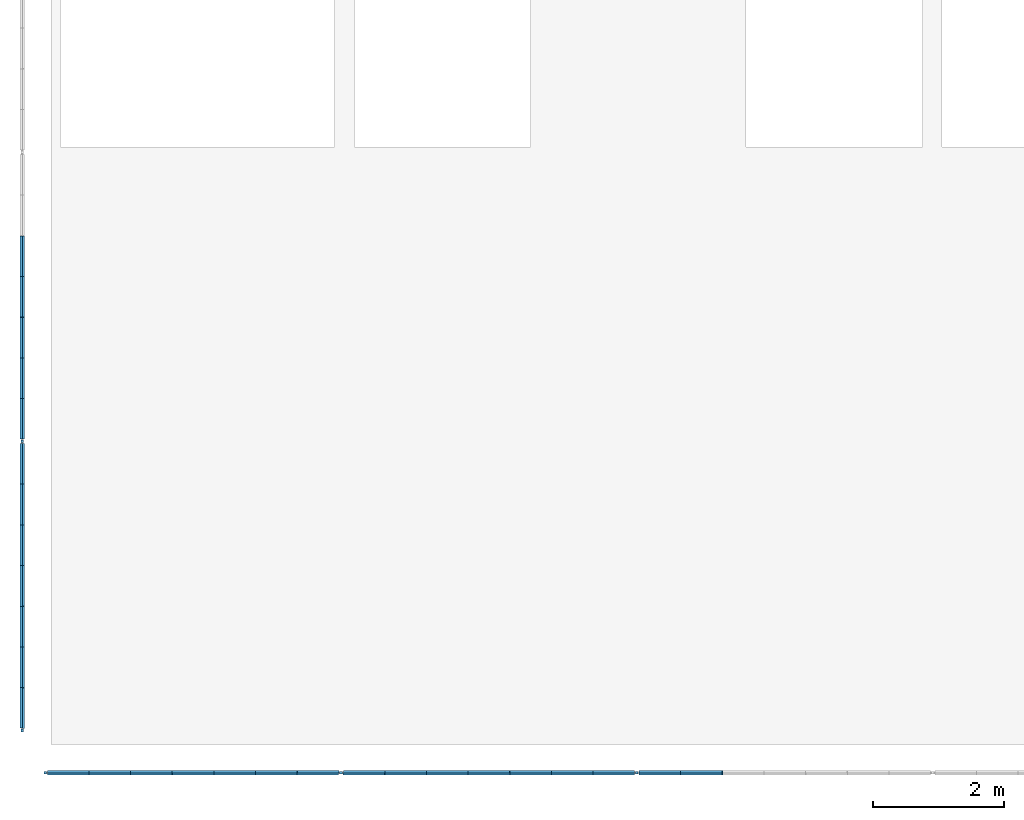
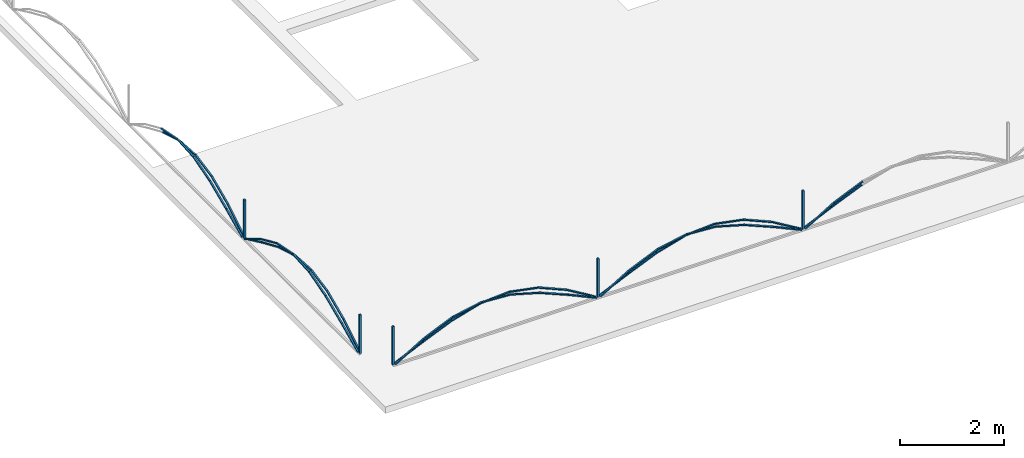
# One storey, part 2 of 9: 61 discrete accessories.
"""IFC4 building model written with IfcOpenShell, lengths in metres."""

from ifc_helpers import new_model, si_unit, direction, frame, origin, origin_2d, place, context, subcontext, project, spatial, rectangle, extrude, material, material_profile, profile_set, type_object, element, save


model = new_model("IFC4")

# Units and contexts
model_context = context("Model", 3, precision=1e-05, world=origin(), true_north=direction((0.0, 1.0)))
body_context = subcontext(model_context, "Body", "Model", "MODEL_VIEW")
ifc_project = project(units=[si_unit("LENGTHUNIT", "METRE"), si_unit("AREAUNIT", "SQUARE_METRE"), si_unit("VOLUMEUNIT", "CUBIC_METRE"), si_unit("PLANEANGLEUNIT", "RADIAN"), si_unit("MASSUNIT", "GRAM", prefix="KILO")], contexts=[model_context])

# Site, building, storey
site_placement = place(None, origin())
site = spatial("IfcSite", under=ifc_project, at=site_placement, CompositionType="ELEMENT")
building_placement = place(site_placement, origin())
building = spatial("IfcBuilding", under=site, at=building_placement, Name="Hortulan Conservatory and Botanical Research Centre", CompositionType="ELEMENT")
storey_placement = place(building_placement, frame((0.0, 0.0, 74.25)))
storey = spatial("IfcBuildingStorey", under=building, at=storey_placement, Name="MAIN ROOF", CompositionType="ELEMENT", Elevation=74.25)

# Discrete accessories
ifc_material = material(Name="Bronze-charcoal painted wrought iron", Category="metal")
ifc_material_profile_1 = material_profile(ifc_material, rectangle(XDim=0.0400390625, YDim=0.0400390625, at=origin_2d()), Name="Square bar 40x40")
ifc_profile_set_1 = profile_set([ifc_material_profile_1], Name="Bronze-charcoal painted wrought iron")
discrete_accessory_type_1 = type_object("IfcDiscreteAccessoryType", Name="Cresting Post 40x40", PredefinedType="USERDEFINED", material=ifc_profile_set_1)
for number, where, z_axis, x_axis, name in (
    (1, (17.978515625, -0.43603515625, 1.43994140625), (0.0, 0.0, 1.0), (1.0, 0.0, 0.0), "Cresting post"),
    (2, (13.4462890625, -0.43603515625, 1.43994140625), (0.0, 0.0, 1.0), (1.0, 0.0, 0.0), "Cresting post"),
    (3, (8.9140625, -0.43603515625, 1.43994140625), (0.0, 0.0, 1.0), (1.0, 0.0, 0.0), "Cresting post"),
    (4, (8.56396484375, 0.214111328125, 1.43994140625), (0.0, 0.0, 1.0), (1.0, 0.0, 0.0), "Cresting post"),
    (5, (8.56396484375, 4.642578125, 1.43994140625), (0.0, 0.0, 1.0), (1.0, 0.0, 0.0), "Cresting post"),
):
    element("IfcDiscreteAccessory", number, at=place(storey_placement, frame(where, z_axis=z_axis, x_axis=x_axis)), inside=storey, type_object=discrete_accessory_type_1, Name=name, ObjectType="Cresting post", PredefinedType="USERDEFINED", context=body_context, shape_type="SweptSolid", body=[
        extrude(rectangle(XDim=0.0400390625, YDim=0.0400390625, at=origin_2d()), origin(), (0.0, 0.0, 1.0), 0.900146484375),
    ])
ifc_material_profile_2 = material_profile(ifc_material, rectangle(XDim=0.034912109375, YDim=0.02490234375, at=origin_2d()), Name="Flat bar 35x25")
ifc_profile_set_2 = profile_set([ifc_material_profile_2], Name="Bronze-charcoal painted wrought iron")
discrete_accessory_type_2 = type_object("IfcDiscreteAccessoryType", Name="Whiplash Bar 35x25", PredefinedType="USERDEFINED", material=ifc_profile_set_2)
discrete_accessory_1_placement = place(storey_placement, frame((19.29052734375, -0.41845703125, 2.00048828125), z_axis=(-0.920400830323, 0.0, -0.390976100985), x_axis=(0.0, -1.0, 0.0)))
element("IfcDiscreteAccessory", 6, at=discrete_accessory_1_placement, inside=storey, type_object=discrete_accessory_type_2, Name="Whiplash bar", ObjectType="Whiplash cresting bar", PredefinedType="USERDEFINED", context=body_context, shape_type="SweptSolid", body=[
    extrude(rectangle(XDim=0.034912109375, YDim=0.02490234375, at=origin_2d()), origin(), (0.0, 0.0, 1.0), 0.691162109375),
])
discrete_accessory_2_placement = place(storey_placement, frame((18.654296875, -0.41845703125, 1.730224609375), z_axis=(-0.909719549908, 0.0, -0.415223241781), x_axis=(0.0, -1.0, 0.0)))
element("IfcDiscreteAccessory", 7, at=discrete_accessory_2_placement, inside=storey, type_object=discrete_accessory_type_2, Name="Whiplash bar", ObjectType="Whiplash cresting bar", PredefinedType="USERDEFINED", context=body_context, shape_type="SweptSolid", body=[
    extrude(rectangle(XDim=0.034912109375, YDim=0.02490234375, at=origin_2d()), origin(), (0.0, 0.0, 1.0), 0.69921875),
])
discrete_accessory_3_placement = place(storey_placement, frame((19.29052734375, -0.45361328125, 2.100341796875), z_axis=(-0.916818180811, 0.0, -0.399304925257), x_axis=(0.0, -1.0, 0.0)))
element("IfcDiscreteAccessory", 8, at=discrete_accessory_3_placement, inside=storey, type_object=discrete_accessory_type_2, Name="Whiplash bar", ObjectType="Whiplash cresting bar", PredefinedType="USERDEFINED", context=body_context, shape_type="SweptSolid", body=[
    extrude(rectangle(XDim=0.034912109375, YDim=0.02490234375, at=origin_2d()), origin(), (0.0, 0.0, 1.0), 0.69384765625),
])
for number, where, z_axis, x_axis, name in (
    (9, (18.654296875, -0.45361328125, 1.8232421875), (-0.856475901136, 0.0, -0.516187011433), (0.0, -1.0, 0.0), "Whiplash bar"),
    (10, (17.9384765625, -0.41845703125, 1.43994140625), (-0.856475901136, 0.0, 0.516187011433), (0.0, -1.0, 0.0), "Whiplash bar"),
):
    element("IfcDiscreteAccessory", number, at=place(storey_placement, frame(where, z_axis=z_axis, x_axis=x_axis)), inside=storey, type_object=discrete_accessory_type_2, Name=name, ObjectType="Whiplash cresting bar", PredefinedType="USERDEFINED", context=body_context, shape_type="SweptSolid", body=[
        extrude(rectangle(XDim=0.034912109375, YDim=0.02490234375, at=origin_2d()), origin(), (0.0, 0.0, 1.0), 0.74267578125),
    ])
discrete_accessory_4_placement = place(storey_placement, frame((17.302490234375, -0.41845703125, 1.8232421875), z_axis=(-0.916818180811, 0.0, 0.399304925257), x_axis=(0.0, -1.0, 0.0)))
element("IfcDiscreteAccessory", 11, at=discrete_accessory_4_placement, inside=storey, type_object=discrete_accessory_type_2, Name="Whiplash bar", ObjectType="Whiplash cresting bar", PredefinedType="USERDEFINED", context=body_context, shape_type="SweptSolid", body=[
    extrude(rectangle(XDim=0.034912109375, YDim=0.02490234375, at=origin_2d()), origin(), (0.0, 0.0, 1.0), 0.69384765625),
])
discrete_accessory_5_placement = place(storey_placement, frame((16.666259765625, -0.41845703125, 2.100341796875), z_axis=(-0.981582036387, 0.0, 0.191041110345), x_axis=(0.0, -1.0, 0.0)))
element("IfcDiscreteAccessory", 12, at=discrete_accessory_5_placement, inside=storey, type_object=discrete_accessory_type_2, Name="Whiplash bar", ObjectType="Whiplash cresting bar", PredefinedType="USERDEFINED", context=body_context, shape_type="SweptSolid", body=[
    extrude(rectangle(XDim=0.034912109375, YDim=0.02490234375, at=origin_2d()), origin(), (0.0, 0.0, 1.0), 0.64794921875),
])
discrete_accessory_6_placement = place(storey_placement, frame((16.0302734375, -0.41845703125, 2.22412109375), z_axis=(-0.997877401135, 0.0, -0.065120598155), x_axis=(0.0, -1.0, 0.0)))
element("IfcDiscreteAccessory", 13, at=discrete_accessory_6_placement, inside=storey, type_object=discrete_accessory_type_2, Name="Whiplash bar", ObjectType="Whiplash cresting bar", PredefinedType="USERDEFINED", context=body_context, shape_type="SweptSolid", body=[
    extrude(rectangle(XDim=0.034912109375, YDim=0.02490234375, at=origin_2d()), origin(), (0.0, 0.0, 1.0), 0.637451171875),
])
discrete_accessory_7_placement = place(storey_placement, frame((15.394287109375, -0.41845703125, 2.1826171875), z_axis=(-0.961356655994, 0.0, -0.275305975191), x_axis=(0.0, -1.0, 0.0)))
element("IfcDiscreteAccessory", 14, at=discrete_accessory_7_placement, inside=storey, type_object=discrete_accessory_type_2, Name="Whiplash bar", ObjectType="Whiplash cresting bar", PredefinedType="USERDEFINED", context=body_context, shape_type="SweptSolid", body=[
    extrude(rectangle(XDim=0.034912109375, YDim=0.02490234375, at=origin_2d()), origin(), (0.0, 0.0, 1.0), 0.66162109375),
])
discrete_accessory_8_placement = place(storey_placement, frame((14.75830078125, -0.41845703125, 2.00048828125), z_axis=(-0.920346815269, 0.0, -0.391103233974), x_axis=(0.0, -1.0, 0.0)))
element("IfcDiscreteAccessory", 15, at=discrete_accessory_8_placement, inside=storey, type_object=discrete_accessory_type_2, Name="Whiplash bar", ObjectType="Whiplash cresting bar", PredefinedType="USERDEFINED", context=body_context, shape_type="SweptSolid", body=[
    extrude(rectangle(XDim=0.034912109375, YDim=0.02490234375, at=origin_2d()), origin(), (0.0, 0.0, 1.0), 0.69091796875),
])
for number, where, z_axis, x_axis, name in (
    (16, (14.122314453125, -0.41845703125, 1.730224609375), (-0.909779730462, 0.0, -0.415091365894), (0.0, -1.0, 0.0), "Whiplash bar"),
    (17, (17.9384765625, -0.45361328125, 1.43994140625), (-0.909719549908, 0.0, 0.415223241781), (0.0, -1.0, 0.0), "Whiplash bar"),
):
    element("IfcDiscreteAccessory", number, at=place(storey_placement, frame(where, z_axis=z_axis, x_axis=x_axis)), inside=storey, type_object=discrete_accessory_type_2, Name=name, ObjectType="Whiplash cresting bar", PredefinedType="USERDEFINED", context=body_context, shape_type="SweptSolid", body=[
        extrude(rectangle(XDim=0.034912109375, YDim=0.02490234375, at=origin_2d()), origin(), (0.0, 0.0, 1.0), 0.69921875),
    ])
discrete_accessory_9_placement = place(storey_placement, frame((17.302490234375, -0.45361328125, 1.730224609375), z_axis=(-0.920400830323, 0.0, 0.390976100985), x_axis=(0.0, -1.0, 0.0)))
element("IfcDiscreteAccessory", 18, at=discrete_accessory_9_placement, inside=storey, type_object=discrete_accessory_type_2, Name="Whiplash bar", ObjectType="Whiplash cresting bar", PredefinedType="USERDEFINED", context=body_context, shape_type="SweptSolid", body=[
    extrude(rectangle(XDim=0.034912109375, YDim=0.02490234375, at=origin_2d()), origin(), (0.0, 0.0, 1.0), 0.691162109375),
])
discrete_accessory_10_placement = place(storey_placement, frame((16.666259765625, -0.45361328125, 2.00048828125), z_axis=(-0.961356655994, 0.0, 0.275305975191), x_axis=(0.0, -1.0, 0.0)))
element("IfcDiscreteAccessory", 19, at=discrete_accessory_10_placement, inside=storey, type_object=discrete_accessory_type_2, Name="Whiplash bar", ObjectType="Whiplash cresting bar", PredefinedType="USERDEFINED", context=body_context, shape_type="SweptSolid", body=[
    extrude(rectangle(XDim=0.034912109375, YDim=0.02490234375, at=origin_2d()), origin(), (0.0, 0.0, 1.0), 0.66162109375),
])
discrete_accessory_11_placement = place(storey_placement, frame((16.0302734375, -0.45361328125, 2.1826171875), z_axis=(-0.997877401135, 0.0, 0.065120598155), x_axis=(0.0, -1.0, 0.0)))
element("IfcDiscreteAccessory", 20, at=discrete_accessory_11_placement, inside=storey, type_object=discrete_accessory_type_2, Name="Whiplash bar", ObjectType="Whiplash cresting bar", PredefinedType="USERDEFINED", context=body_context, shape_type="SweptSolid", body=[
    extrude(rectangle(XDim=0.034912109375, YDim=0.02490234375, at=origin_2d()), origin(), (0.0, 0.0, 1.0), 0.637451171875),
])
discrete_accessory_12_placement = place(storey_placement, frame((15.394287109375, -0.45361328125, 2.22412109375), z_axis=(-0.981582036387, 0.0, -0.191041110345), x_axis=(0.0, -1.0, 0.0)))
element("IfcDiscreteAccessory", 21, at=discrete_accessory_12_placement, inside=storey, type_object=discrete_accessory_type_2, Name="Whiplash bar", ObjectType="Whiplash cresting bar", PredefinedType="USERDEFINED", context=body_context, shape_type="SweptSolid", body=[
    extrude(rectangle(XDim=0.034912109375, YDim=0.02490234375, at=origin_2d()), origin(), (0.0, 0.0, 1.0), 0.64794921875),
])
discrete_accessory_13_placement = place(storey_placement, frame((14.75830078125, -0.45361328125, 2.100341796875), z_axis=(-0.916762059437, 0.0, -0.399433757183), x_axis=(0.0, -1.0, 0.0)))
element("IfcDiscreteAccessory", 22, at=discrete_accessory_13_placement, inside=storey, type_object=discrete_accessory_type_2, Name="Whiplash bar", ObjectType="Whiplash cresting bar", PredefinedType="USERDEFINED", context=body_context, shape_type="SweptSolid", body=[
    extrude(rectangle(XDim=0.034912109375, YDim=0.02490234375, at=origin_2d()), origin(), (0.0, 0.0, 1.0), 0.69384765625),
])
for number, where, z_axis, x_axis, name in (
    (23, (14.122314453125, -0.45361328125, 1.8232421875), (-0.856563467668, 0.0, -0.516041690038), (0.0, -1.0, 0.0), "Whiplash bar"),
    (24, (13.40625, -0.41845703125, 1.43994140625), (-0.856475901136, 0.0, 0.516187011433), (0.0, -1.0, 0.0), "Whiplash bar"),
):
    element("IfcDiscreteAccessory", number, at=place(storey_placement, frame(where, z_axis=z_axis, x_axis=x_axis)), inside=storey, type_object=discrete_accessory_type_2, Name=name, ObjectType="Whiplash cresting bar", PredefinedType="USERDEFINED", context=body_context, shape_type="SweptSolid", body=[
        extrude(rectangle(XDim=0.034912109375, YDim=0.02490234375, at=origin_2d()), origin(), (0.0, 0.0, 1.0), 0.74267578125),
    ])
discrete_accessory_14_placement = place(storey_placement, frame((12.770263671875, -0.41845703125, 1.8232421875), z_axis=(-0.916818180811, 0.0, 0.399304925257), x_axis=(0.0, -1.0, 0.0)))
element("IfcDiscreteAccessory", 25, at=discrete_accessory_14_placement, inside=storey, type_object=discrete_accessory_type_2, Name="Whiplash bar", ObjectType="Whiplash cresting bar", PredefinedType="USERDEFINED", context=body_context, shape_type="SweptSolid", body=[
    extrude(rectangle(XDim=0.034912109375, YDim=0.02490234375, at=origin_2d()), origin(), (0.0, 0.0, 1.0), 0.69384765625),
])
discrete_accessory_15_placement = place(storey_placement, frame((12.134033203125, -0.41845703125, 2.100341796875), z_axis=(-0.981582036387, 0.0, 0.191041110345), x_axis=(0.0, -1.0, 0.0)))
element("IfcDiscreteAccessory", 26, at=discrete_accessory_15_placement, inside=storey, type_object=discrete_accessory_type_2, Name="Whiplash bar", ObjectType="Whiplash cresting bar", PredefinedType="USERDEFINED", context=body_context, shape_type="SweptSolid", body=[
    extrude(rectangle(XDim=0.034912109375, YDim=0.02490234375, at=origin_2d()), origin(), (0.0, 0.0, 1.0), 0.64794921875),
])
discrete_accessory_16_placement = place(storey_placement, frame((11.498046875, -0.41845703125, 2.22412109375), z_axis=(-0.997877401135, 0.0, -0.065120598155), x_axis=(0.0, -1.0, 0.0)))
element("IfcDiscreteAccessory", 27, at=discrete_accessory_16_placement, inside=storey, type_object=discrete_accessory_type_2, Name="Whiplash bar", ObjectType="Whiplash cresting bar", PredefinedType="USERDEFINED", context=body_context, shape_type="SweptSolid", body=[
    extrude(rectangle(XDim=0.034912109375, YDim=0.02490234375, at=origin_2d()), origin(), (0.0, 0.0, 1.0), 0.637451171875),
])
discrete_accessory_17_placement = place(storey_placement, frame((10.862060546875, -0.41845703125, 2.1826171875), z_axis=(-0.961356655994, 0.0, -0.275305975191), x_axis=(0.0, -1.0, 0.0)))
element("IfcDiscreteAccessory", 28, at=discrete_accessory_17_placement, inside=storey, type_object=discrete_accessory_type_2, Name="Whiplash bar", ObjectType="Whiplash cresting bar", PredefinedType="USERDEFINED", context=body_context, shape_type="SweptSolid", body=[
    extrude(rectangle(XDim=0.034912109375, YDim=0.02490234375, at=origin_2d()), origin(), (0.0, 0.0, 1.0), 0.66162109375),
])
discrete_accessory_18_placement = place(storey_placement, frame((10.22607421875, -0.41845703125, 2.00048828125), z_axis=(-0.920346815269, 0.0, -0.391103233974), x_axis=(0.0, -1.0, 0.0)))
element("IfcDiscreteAccessory", 29, at=discrete_accessory_18_placement, inside=storey, type_object=discrete_accessory_type_2, Name="Whiplash bar", ObjectType="Whiplash cresting bar", PredefinedType="USERDEFINED", context=body_context, shape_type="SweptSolid", body=[
    extrude(rectangle(XDim=0.034912109375, YDim=0.02490234375, at=origin_2d()), origin(), (0.0, 0.0, 1.0), 0.69091796875),
])
for number, where, z_axis, x_axis, name in (
    (30, (9.590087890625, -0.41845703125, 1.730224609375), (-0.909719549908, 0.0, -0.415223241781), (0.0, -1.0, 0.0), "Whiplash bar"),
    (31, (13.40625, -0.45361328125, 1.43994140625), (-0.909719549908, 0.0, 0.415223241781), (0.0, -1.0, 0.0), "Whiplash bar"),
):
    element("IfcDiscreteAccessory", number, at=place(storey_placement, frame(where, z_axis=z_axis, x_axis=x_axis)), inside=storey, type_object=discrete_accessory_type_2, Name=name, ObjectType="Whiplash cresting bar", PredefinedType="USERDEFINED", context=body_context, shape_type="SweptSolid", body=[
        extrude(rectangle(XDim=0.034912109375, YDim=0.02490234375, at=origin_2d()), origin(), (0.0, 0.0, 1.0), 0.69921875),
    ])
discrete_accessory_19_placement = place(storey_placement, frame((12.770263671875, -0.45361328125, 1.730224609375), z_axis=(-0.920400830323, 0.0, 0.390976100985), x_axis=(0.0, -1.0, 0.0)))
element("IfcDiscreteAccessory", 32, at=discrete_accessory_19_placement, inside=storey, type_object=discrete_accessory_type_2, Name="Whiplash bar", ObjectType="Whiplash cresting bar", PredefinedType="USERDEFINED", context=body_context, shape_type="SweptSolid", body=[
    extrude(rectangle(XDim=0.034912109375, YDim=0.02490234375, at=origin_2d()), origin(), (0.0, 0.0, 1.0), 0.691162109375),
])
discrete_accessory_20_placement = place(storey_placement, frame((12.134033203125, -0.45361328125, 2.00048828125), z_axis=(-0.961356655994, 0.0, 0.275305975191), x_axis=(0.0, -1.0, 0.0)))
element("IfcDiscreteAccessory", 33, at=discrete_accessory_20_placement, inside=storey, type_object=discrete_accessory_type_2, Name="Whiplash bar", ObjectType="Whiplash cresting bar", PredefinedType="USERDEFINED", context=body_context, shape_type="SweptSolid", body=[
    extrude(rectangle(XDim=0.034912109375, YDim=0.02490234375, at=origin_2d()), origin(), (0.0, 0.0, 1.0), 0.66162109375),
])
discrete_accessory_21_placement = place(storey_placement, frame((11.498046875, -0.45361328125, 2.1826171875), z_axis=(-0.997877401135, 0.0, 0.065120598155), x_axis=(0.0, -1.0, 0.0)))
element("IfcDiscreteAccessory", 34, at=discrete_accessory_21_placement, inside=storey, type_object=discrete_accessory_type_2, Name="Whiplash bar", ObjectType="Whiplash cresting bar", PredefinedType="USERDEFINED", context=body_context, shape_type="SweptSolid", body=[
    extrude(rectangle(XDim=0.034912109375, YDim=0.02490234375, at=origin_2d()), origin(), (0.0, 0.0, 1.0), 0.637451171875),
])
discrete_accessory_22_placement = place(storey_placement, frame((10.862060546875, -0.45361328125, 2.22412109375), z_axis=(-0.981582036387, 0.0, -0.191041110345), x_axis=(0.0, -1.0, 0.0)))
element("IfcDiscreteAccessory", 35, at=discrete_accessory_22_placement, inside=storey, type_object=discrete_accessory_type_2, Name="Whiplash bar", ObjectType="Whiplash cresting bar", PredefinedType="USERDEFINED", context=body_context, shape_type="SweptSolid", body=[
    extrude(rectangle(XDim=0.034912109375, YDim=0.02490234375, at=origin_2d()), origin(), (0.0, 0.0, 1.0), 0.64794921875),
])
discrete_accessory_23_placement = place(storey_placement, frame((10.22607421875, -0.45361328125, 2.100341796875), z_axis=(-0.916762059437, 0.0, -0.399433757183), x_axis=(0.0, -1.0, 0.0)))
element("IfcDiscreteAccessory", 36, at=discrete_accessory_23_placement, inside=storey, type_object=discrete_accessory_type_2, Name="Whiplash bar", ObjectType="Whiplash cresting bar", PredefinedType="USERDEFINED", context=body_context, shape_type="SweptSolid", body=[
    extrude(rectangle(XDim=0.034912109375, YDim=0.02490234375, at=origin_2d()), origin(), (0.0, 0.0, 1.0), 0.69384765625),
])
discrete_accessory_24_placement = place(storey_placement, frame((9.590087890625, -0.45361328125, 1.8232421875), z_axis=(-0.856475901136, 0.0, -0.516187011433), x_axis=(0.0, -1.0, 0.0)))
element("IfcDiscreteAccessory", 37, at=discrete_accessory_24_placement, inside=storey, type_object=discrete_accessory_type_2, Name="Whiplash bar", ObjectType="Whiplash cresting bar", PredefinedType="USERDEFINED", context=body_context, shape_type="SweptSolid", body=[
    extrude(rectangle(XDim=0.034912109375, YDim=0.02490234375, at=origin_2d()), origin(), (0.0, 0.0, 1.0), 0.74267578125),
])
discrete_accessory_25_placement = place(storey_placement, frame((8.58154296875, 0.25390625, 1.43994140625), z_axis=(0.0, 0.851083704405, 0.5250300259), x_axis=(-1.0, 0.0, 0.0)))
element("IfcDiscreteAccessory", 38, at=discrete_accessory_25_placement, inside=storey, type_object=discrete_accessory_type_2, Name="Whiplash bar", ObjectType="Whiplash cresting bar", PredefinedType="USERDEFINED", context=body_context, shape_type="SweptSolid", body=[
    extrude(rectangle(XDim=0.034912109375, YDim=0.02490234375, at=origin_2d()), origin(), (0.0, 0.0, 1.0), 0.72998046875),
])
discrete_accessory_26_placement = place(storey_placement, frame((8.58154296875, 0.875244140625, 1.8232421875), z_axis=(0.0, 0.91329286658, 0.407303498455), x_axis=(-1.0, 0.0, 0.0)))
element("IfcDiscreteAccessory", 39, at=discrete_accessory_26_placement, inside=storey, type_object=discrete_accessory_type_2, Name="Whiplash bar", ObjectType="Whiplash cresting bar", PredefinedType="USERDEFINED", context=body_context, shape_type="SweptSolid", body=[
    extrude(rectangle(XDim=0.034912109375, YDim=0.02490234375, at=origin_2d()), origin(), (0.0, 0.0, 1.0), 0.680419921875),
])
discrete_accessory_27_placement = place(storey_placement, frame((8.58154296875, 1.49658203125, 2.100341796875), z_axis=(0.0, 0.980713891261, 0.195448876914), x_axis=(-1.0, 0.0, 0.0)))
element("IfcDiscreteAccessory", 40, at=discrete_accessory_27_placement, inside=storey, type_object=discrete_accessory_type_2, Name="Whiplash bar", ObjectType="Whiplash cresting bar", PredefinedType="USERDEFINED", context=body_context, shape_type="SweptSolid", body=[
    extrude(rectangle(XDim=0.034912109375, YDim=0.02490234375, at=origin_2d()), origin(), (0.0, 0.0, 1.0), 0.63330078125),
])
discrete_accessory_28_placement = place(storey_placement, frame((8.58154296875, 2.11767578125, 2.22412109375), z_axis=(0.0, 0.997776475621, -0.06664911625), x_axis=(-1.0, 0.0, 0.0)))
element("IfcDiscreteAccessory", 41, at=discrete_accessory_28_placement, inside=storey, type_object=discrete_accessory_type_2, Name="Whiplash bar", ObjectType="Whiplash cresting bar", PredefinedType="USERDEFINED", context=body_context, shape_type="SweptSolid", body=[
    extrude(rectangle(XDim=0.034912109375, YDim=0.02490234375, at=origin_2d()), origin(), (0.0, 0.0, 1.0), 0.622802734375),
])
discrete_accessory_29_placement = place(storey_placement, frame((8.58154296875, 2.739013671875, 2.1826171875), z_axis=(0.0, 0.959593428951, -0.281390211477), x_axis=(-1.0, 0.0, 0.0)))
element("IfcDiscreteAccessory", 42, at=discrete_accessory_29_placement, inside=storey, type_object=discrete_accessory_type_2, Name="Whiplash bar", ObjectType="Whiplash cresting bar", PredefinedType="USERDEFINED", context=body_context, shape_type="SweptSolid", body=[
    extrude(rectangle(XDim=0.034912109375, YDim=0.02490234375, at=origin_2d()), origin(), (0.0, 0.0, 1.0), 0.647216796875),
])
discrete_accessory_30_placement = place(storey_placement, frame((8.58154296875, 3.360107421875, 2.00048828125), z_axis=(0.0, 0.917007032271, -0.398871035255), x_axis=(-1.0, 0.0, 0.0)))
element("IfcDiscreteAccessory", 43, at=discrete_accessory_30_placement, inside=storey, type_object=discrete_accessory_type_2, Name="Whiplash bar", ObjectType="Whiplash cresting bar", PredefinedType="USERDEFINED", context=body_context, shape_type="SweptSolid", body=[
    extrude(rectangle(XDim=0.034912109375, YDim=0.02490234375, at=origin_2d()), origin(), (0.0, 0.0, 1.0), 0.677490234375),
])
for number, where, z_axis, x_axis, name in (
    (44, (8.58154296875, 3.9814453125, 1.730224609375), (0.0, 0.906001162141, -0.42327519913), (-1.0, 0.0, 0.0), "Whiplash bar"),
    (45, (8.54638671875, 0.25390625, 1.43994140625), (0.0, 0.906001162141, 0.42327519913), (-1.0, 0.0, 0.0), "Whiplash bar"),
):
    element("IfcDiscreteAccessory", number, at=place(storey_placement, frame(where, z_axis=z_axis, x_axis=x_axis)), inside=storey, type_object=discrete_accessory_type_2, Name=name, ObjectType="Whiplash cresting bar", PredefinedType="USERDEFINED", context=body_context, shape_type="SweptSolid", body=[
        extrude(rectangle(XDim=0.034912109375, YDim=0.02490234375, at=origin_2d()), origin(), (0.0, 0.0, 1.0), 0.685791015625),
    ])
discrete_accessory_31_placement = place(storey_placement, frame((8.54638671875, 0.875244140625, 1.730224609375), z_axis=(0.0, 0.917007032271, 0.398871035255), x_axis=(-1.0, 0.0, 0.0)))
element("IfcDiscreteAccessory", 46, at=discrete_accessory_31_placement, inside=storey, type_object=discrete_accessory_type_2, Name="Whiplash bar", ObjectType="Whiplash cresting bar", PredefinedType="USERDEFINED", context=body_context, shape_type="SweptSolid", body=[
    extrude(rectangle(XDim=0.034912109375, YDim=0.02490234375, at=origin_2d()), origin(), (0.0, 0.0, 1.0), 0.677490234375),
])
discrete_accessory_32_placement = place(storey_placement, frame((8.54638671875, 1.49658203125, 2.00048828125), z_axis=(0.0, 0.959593428951, 0.281390211477), x_axis=(-1.0, 0.0, 0.0)))
element("IfcDiscreteAccessory", 47, at=discrete_accessory_32_placement, inside=storey, type_object=discrete_accessory_type_2, Name="Whiplash bar", ObjectType="Whiplash cresting bar", PredefinedType="USERDEFINED", context=body_context, shape_type="SweptSolid", body=[
    extrude(rectangle(XDim=0.034912109375, YDim=0.02490234375, at=origin_2d()), origin(), (0.0, 0.0, 1.0), 0.647216796875),
])
discrete_accessory_33_placement = place(storey_placement, frame((8.54638671875, 2.11767578125, 2.1826171875), z_axis=(0.0, 0.997776475621, 0.06664911625), x_axis=(-1.0, 0.0, 0.0)))
element("IfcDiscreteAccessory", 48, at=discrete_accessory_33_placement, inside=storey, type_object=discrete_accessory_type_2, Name="Whiplash bar", ObjectType="Whiplash cresting bar", PredefinedType="USERDEFINED", context=body_context, shape_type="SweptSolid", body=[
    extrude(rectangle(XDim=0.034912109375, YDim=0.02490234375, at=origin_2d()), origin(), (0.0, 0.0, 1.0), 0.622802734375),
])
discrete_accessory_34_placement = place(storey_placement, frame((8.54638671875, 2.739013671875, 2.22412109375), z_axis=(0.0, 0.980713891261, -0.195448876914), x_axis=(-1.0, 0.0, 0.0)))
element("IfcDiscreteAccessory", 49, at=discrete_accessory_34_placement, inside=storey, type_object=discrete_accessory_type_2, Name="Whiplash bar", ObjectType="Whiplash cresting bar", PredefinedType="USERDEFINED", context=body_context, shape_type="SweptSolid", body=[
    extrude(rectangle(XDim=0.034912109375, YDim=0.02490234375, at=origin_2d()), origin(), (0.0, 0.0, 1.0), 0.63330078125),
])
discrete_accessory_35_placement = place(storey_placement, frame((8.54638671875, 3.360107421875, 2.100341796875), z_axis=(0.0, 0.91329286658, -0.407303498455), x_axis=(-1.0, 0.0, 0.0)))
element("IfcDiscreteAccessory", 50, at=discrete_accessory_35_placement, inside=storey, type_object=discrete_accessory_type_2, Name="Whiplash bar", ObjectType="Whiplash cresting bar", PredefinedType="USERDEFINED", context=body_context, shape_type="SweptSolid", body=[
    extrude(rectangle(XDim=0.034912109375, YDim=0.02490234375, at=origin_2d()), origin(), (0.0, 0.0, 1.0), 0.680419921875),
])
for number, where, z_axis, x_axis, name in (
    (51, (8.54638671875, 3.9814453125, 1.8232421875), (0.0, 0.851083704405, -0.5250300259), (-1.0, 0.0, 0.0), "Whiplash bar"),
    (52, (8.58154296875, 4.6826171875, 1.43994140625), (0.0, 0.851083704405, 0.5250300259), (-1.0, 0.0, 0.0), "Whiplash bar"),
):
    element("IfcDiscreteAccessory", number, at=place(storey_placement, frame(where, z_axis=z_axis, x_axis=x_axis)), inside=storey, type_object=discrete_accessory_type_2, Name=name, ObjectType="Whiplash cresting bar", PredefinedType="USERDEFINED", context=body_context, shape_type="SweptSolid", body=[
        extrude(rectangle(XDim=0.034912109375, YDim=0.02490234375, at=origin_2d()), origin(), (0.0, 0.0, 1.0), 0.72998046875),
    ])
discrete_accessory_36_placement = place(storey_placement, frame((8.58154296875, 5.303955078125, 1.8232421875), z_axis=(0.0, 0.913233304192, 0.407437028403), x_axis=(-1.0, 0.0, 0.0)))
element("IfcDiscreteAccessory", 53, at=discrete_accessory_36_placement, inside=storey, type_object=discrete_accessory_type_2, Name="Whiplash bar", ObjectType="Whiplash cresting bar", PredefinedType="USERDEFINED", context=body_context, shape_type="SweptSolid", body=[
    extrude(rectangle(XDim=0.034912109375, YDim=0.02490234375, at=origin_2d()), origin(), (0.0, 0.0, 1.0), 0.68017578125),
])
discrete_accessory_37_placement = place(storey_placement, frame((8.58154296875, 5.925048828125, 2.100341796875), z_axis=(0.0, 0.980728609144, 0.195375011723), x_axis=(-1.0, 0.0, 0.0)))
element("IfcDiscreteAccessory", 54, at=discrete_accessory_37_placement, inside=storey, type_object=discrete_accessory_type_2, Name="Whiplash bar", ObjectType="Whiplash cresting bar", PredefinedType="USERDEFINED", context=body_context, shape_type="SweptSolid", body=[
    extrude(rectangle(XDim=0.034912109375, YDim=0.02490234375, at=origin_2d()), origin(), (0.0, 0.0, 1.0), 0.633544921875),
])
discrete_accessory_38_placement = place(storey_placement, frame((8.58154296875, 6.54638671875, 2.22412109375), z_axis=(0.0, 0.997774733056, -0.066675198357), x_axis=(-1.0, 0.0, 0.0)))
element("IfcDiscreteAccessory", 55, at=discrete_accessory_38_placement, inside=storey, type_object=discrete_accessory_type_2, Name="Whiplash bar", ObjectType="Whiplash cresting bar", PredefinedType="USERDEFINED", context=body_context, shape_type="SweptSolid", body=[
    extrude(rectangle(XDim=0.034912109375, YDim=0.02490234375, at=origin_2d()), origin(), (0.0, 0.0, 1.0), 0.62255859375),
])
discrete_accessory_39_placement = place(storey_placement, frame((8.58154296875, 7.16748046875, 2.1826171875), z_axis=(0.0, 0.959623279504, -0.281288395485), x_axis=(-1.0, 0.0, 0.0)))
element("IfcDiscreteAccessory", 56, at=discrete_accessory_39_placement, inside=storey, type_object=discrete_accessory_type_2, Name="Whiplash bar", ObjectType="Whiplash cresting bar", PredefinedType="USERDEFINED", context=body_context, shape_type="SweptSolid", body=[
    extrude(rectangle(XDim=0.034912109375, YDim=0.02490234375, at=origin_2d()), origin(), (0.0, 0.0, 1.0), 0.6474609375),
])
discrete_accessory_40_placement = place(storey_placement, frame((8.54638671875, 4.6826171875, 1.43994140625), z_axis=(0.0, 0.906001162141, 0.42327519913), x_axis=(-1.0, 0.0, 0.0)))
element("IfcDiscreteAccessory", 57, at=discrete_accessory_40_placement, inside=storey, type_object=discrete_accessory_type_2, Name="Whiplash bar", ObjectType="Whiplash cresting bar", PredefinedType="USERDEFINED", context=body_context, shape_type="SweptSolid", body=[
    extrude(rectangle(XDim=0.034912109375, YDim=0.02490234375, at=origin_2d()), origin(), (0.0, 0.0, 1.0), 0.685791015625),
])
discrete_accessory_41_placement = place(storey_placement, frame((8.54638671875, 5.303955078125, 1.730224609375), z_axis=(0.0, 0.91694967808, 0.399002866995), x_axis=(-1.0, 0.0, 0.0)))
element("IfcDiscreteAccessory", 58, at=discrete_accessory_41_placement, inside=storey, type_object=discrete_accessory_type_2, Name="Whiplash bar", ObjectType="Whiplash cresting bar", PredefinedType="USERDEFINED", context=body_context, shape_type="SweptSolid", body=[
    extrude(rectangle(XDim=0.034912109375, YDim=0.02490234375, at=origin_2d()), origin(), (0.0, 0.0, 1.0), 0.67724609375),
])
discrete_accessory_42_placement = place(storey_placement, frame((8.54638671875, 5.925048828125, 2.00048828125), z_axis=(0.0, 0.959623279504, 0.281288395485), x_axis=(-1.0, 0.0, 0.0)))
element("IfcDiscreteAccessory", 59, at=discrete_accessory_42_placement, inside=storey, type_object=discrete_accessory_type_2, Name="Whiplash bar", ObjectType="Whiplash cresting bar", PredefinedType="USERDEFINED", context=body_context, shape_type="SweptSolid", body=[
    extrude(rectangle(XDim=0.034912109375, YDim=0.02490234375, at=origin_2d()), origin(), (0.0, 0.0, 1.0), 0.6474609375),
])
discrete_accessory_43_placement = place(storey_placement, frame((8.54638671875, 6.54638671875, 2.1826171875), z_axis=(0.0, 0.997774733056, 0.066675198357), x_axis=(-1.0, 0.0, 0.0)))
element("IfcDiscreteAccessory", 60, at=discrete_accessory_43_placement, inside=storey, type_object=discrete_accessory_type_2, Name="Whiplash bar", ObjectType="Whiplash cresting bar", PredefinedType="USERDEFINED", context=body_context, shape_type="SweptSolid", body=[
    extrude(rectangle(XDim=0.034912109375, YDim=0.02490234375, at=origin_2d()), origin(), (0.0, 0.0, 1.0), 0.62255859375),
])
discrete_accessory_44_placement = place(storey_placement, frame((8.54638671875, 7.16748046875, 2.22412109375), z_axis=(0.0, 0.980728609144, -0.195375011723), x_axis=(-1.0, 0.0, 0.0)))
element("IfcDiscreteAccessory", 61, at=discrete_accessory_44_placement, inside=storey, type_object=discrete_accessory_type_2, Name="Whiplash bar", ObjectType="Whiplash cresting bar", PredefinedType="USERDEFINED", context=body_context, shape_type="SweptSolid", body=[
    extrude(rectangle(XDim=0.034912109375, YDim=0.02490234375, at=origin_2d()), origin(), (0.0, 0.0, 1.0), 0.633544921875),
])

save(model, "model.ifc")
